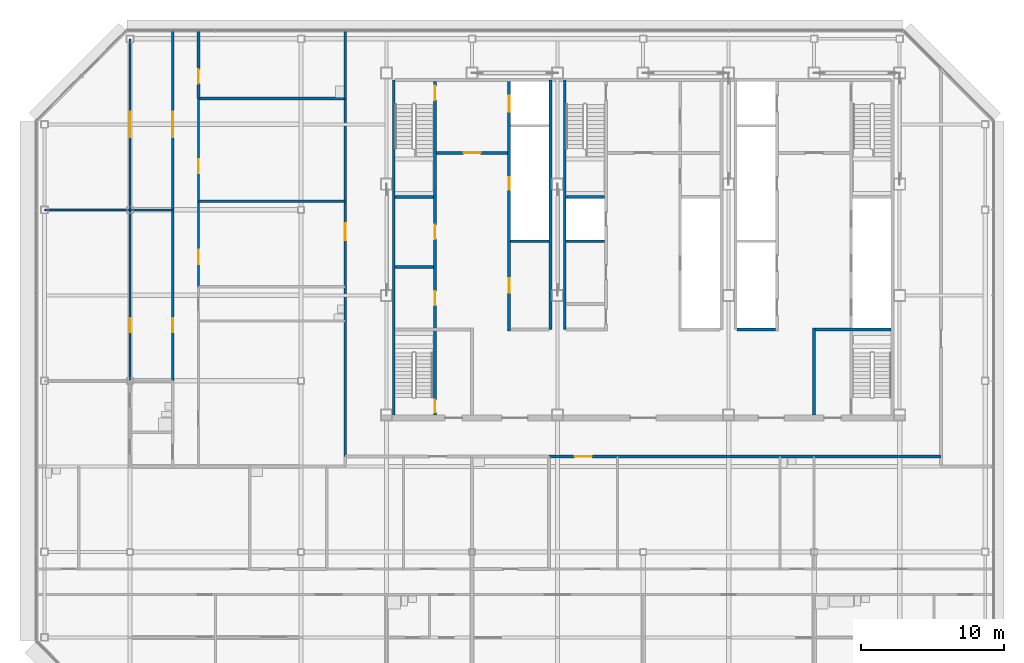
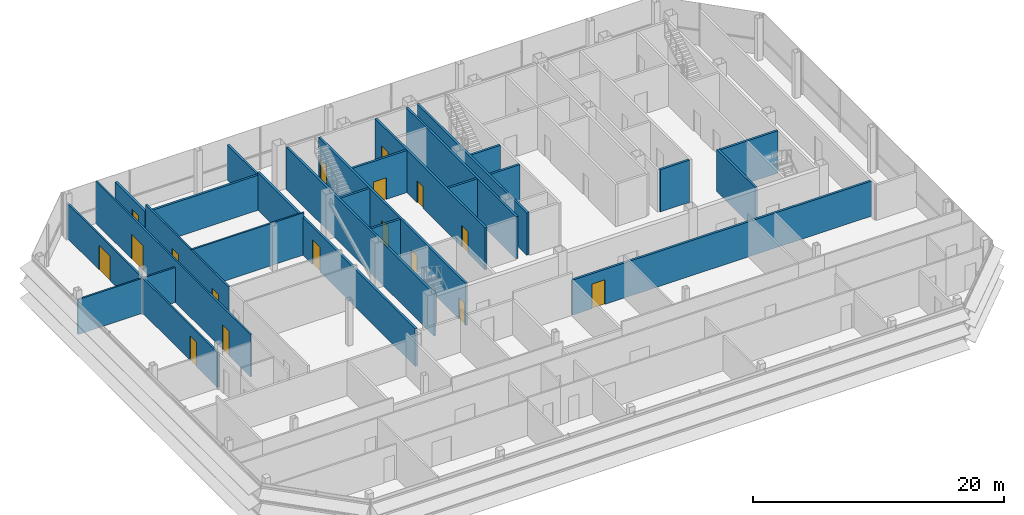
# One storey, part 23 of 29: 24 walls, 17 doors, 17 openings.
"""IFC4 building model written with IfcOpenShell, lengths in metres."""

from ifc_helpers import new_model, si_unit, direction, frame, frame_2d, origin, place, context, subcontext, project, spatial, rectangle, extrude, material, layer, layer_set, type_object, element, fill, save


model = new_model("IFC4")

# Units and contexts
model_context = context("Model", 3, precision=1e-05, world=origin(), true_north=direction((0.0, 1.0)))
body_context = subcontext(model_context, "Body", "Model", "MODEL_VIEW")
ifc_project = project(units=[si_unit("LENGTHUNIT", "METRE"), si_unit("AREAUNIT", "SQUARE_METRE"), si_unit("VOLUMEUNIT", "CUBIC_METRE"), si_unit("PLANEANGLEUNIT", "RADIAN"), si_unit("MASSUNIT", "GRAM", prefix="KILO")], contexts=[model_context])

# Site, building, storey
site_placement = place(None, origin())
site = spatial("IfcSite", under=ifc_project, at=site_placement, CompositionType="ELEMENT")
building_placement = place(site_placement, origin())
building = spatial("IfcBuilding", under=site, at=building_placement, Name="Sorahane Residences", CompositionType="ELEMENT")
storey_placement = place(building_placement, frame((0.0, 0.0, 326.800048828125)))
storey = spatial("IfcBuildingStorey", under=building, at=storey_placement, Name="L78", CompositionType="ELEMENT", Elevation=326.800048828125)

# Walls
ifc_material_1 = material(Name="Concrete C30", Category="concrete")
ifc_layer_1 = layer(ifc_material_1, 0.199951171875)
ifc_layer_set_1 = layer_set([ifc_layer_1], Name="Core face wall 200 EI 180")
wall_type_1 = type_object("IfcWallType", Name="Core face wall 200 EI 180", PredefinedType="SOLIDWALL", material=ifc_layer_set_1)
wall_1_placement = place(storey_placement, frame((6.5, 21.60009765625, 0.0), z_axis=(0.0, 0.0, 1.0), x_axis=(0.0, 1.0, 0.0)))
element("IfcWall", 1, at=wall_1_placement, inside=storey, type_object=wall_type_1, Name="L78 core face wall", PredefinedType="SOLIDWALL", context=body_context, shape_type="SweptSolid", body=[
    extrude(rectangle(XDim=23.5, YDim=0.199951171875, at=frame_2d((11.75, 0.0))), origin(), (0.0, 0.0, 1.0), 4.099853515625),
])
for number, where, z_axis, x_axis, name in (
    (2, (17.5, 27.60009765625, 0.0), (0.0, 0.0, 1.0), (0.0, 1.0, 0.0), "L78 core face wall"),
    (3, (18.5, 27.60009765625, 0.0), (0.0, 0.0, 1.0), (0.0, 1.0, 0.0), "L78 core face wall"),
):
    element("IfcWall", number, at=place(storey_placement, frame(where, z_axis=z_axis, x_axis=x_axis)), inside=storey, type_object=wall_type_1, Name=name, PredefinedType="SOLIDWALL", context=body_context, shape_type="SweptSolid", body=[
        extrude(rectangle(XDim=17.5, YDim=0.199951171875, at=frame_2d((8.75, 0.0))), origin(), (0.0, 0.0, 1.0), 4.099853515625),
    ])

# Wall, opening, door
ifc_material_2 = material(Name="Concrete blockwork C20 wall", Category="masonry")
ifc_layer_2 = layer(ifc_material_2, 0.199951171875)
ifc_layer_set_2 = layer_set([ifc_layer_2], Name="Corridor wall 200 EI 120")
wall_type_2 = type_object("IfcWallType", Name="Corridor wall 200 EI 120", PredefinedType="SOLIDWALL", material=ifc_layer_set_2)
wall_2_placement = place(storey_placement, frame((3.10009765625, 18.699951171875, 0.0), z_axis=(0.0, 0.0, 1.0), x_axis=(0.0, 1.0, 0.0)))
wall_2 = element("IfcWall", 4, at=wall_2_placement, inside=storey, type_object=wall_type_2, Name="L78 corridor wall", PredefinedType="SOLIDWALL", context=body_context, shape_type="SweptSolid", body=[
    extrude(rectangle(XDim=25.10009765625, YDim=0.199951171875, at=frame_2d((12.550048828125, 0.0))), origin(), (0.0, 0.0, 1.0), 3.64990234375),
])
opening_1_placement = place(wall_2_placement, frame((15.159912109375, 0.0, 0.0)))
opening_1 = element("IfcOpeningElement", 5, at=opening_1_placement, cuts=wall_2, Name="Opening L78-40", PredefinedType="OPENING", context=body_context, shape_type="SweptSolid", body=[
    extrude(rectangle(XDim=1.199951171875, YDim=2.39990234375, at=frame_2d((0.60009765625, 1.199951171875))), frame((0.0, 0.10986328125, 0.0), z_axis=(0.0, -1.0, 0.0), x_axis=(1.0, 0.0, 0.0)), (0.0, 0.0, 1.0), 0.219970703125),
])
ifc_material_3 = material(Name="Timber veneered fire door", Category="wood")
door_type_1 = type_object("IfcDoorType", Name="Flat entrance door 1200x2400 FD60", OperationType="NOTDEFINED", PredefinedType="DOOR", material=ifc_material_3)
door_1_placement = place(opening_1_placement, origin())
door_1 = element("IfcDoor", 6, at=door_1_placement, inside=storey, type_object=door_type_1, Name="Flat entrance door L78-40", OperationType="SINGLE_SWING_RIGHT", OverallHeight=2.39990234375, OverallWidth=1.199951171875, PredefinedType="DOOR", context=body_context, shape_type="SweptSolid", body=[
    extrude(rectangle(XDim=1.199951171875, YDim=2.39990234375, at=frame_2d((0.60009765625, 1.199951171875))), frame((0.0, 0.02490234375, 0.0), z_axis=(0.0, -1.0, 0.0), x_axis=(1.0, 0.0, 0.0)), (0.0, 0.0, 1.0), 0.050048828125),
])
fill(opening_1, door_1)

wall_3_placement = place(storey_placement, frame((17.39990234375, 18.699951171875, 0.0), z_axis=(0.0, 0.0, 1.0), x_axis=(1.0, 0.0, 0.0)))
wall_3 = element("IfcWall", 7, at=wall_3_placement, inside=storey, type_object=wall_type_2, Name="L78 corridor wall", PredefinedType="SOLIDWALL", context=body_context, shape_type="SweptSolid", body=[
    extrude(rectangle(XDim=27.5, YDim=0.199951171875, at=frame_2d((13.75, 0.0))), origin(), (0.0, 0.0, 1.0), 3.39990234375),
])
opening_2_placement = place(wall_3_placement, frame((1.800048828125, 0.0, 0.0)))
opening_2 = element("IfcOpeningElement", 8, at=opening_2_placement, cuts=wall_3, Name="Opening L78-39", PredefinedType="OPENING", context=body_context, shape_type="SweptSolid", body=[
    extrude(rectangle(XDim=1.199951171875, YDim=2.39990234375, at=frame_2d((0.60009765625, 1.199951171875))), frame((0.0, 0.10986328125, 0.0), z_axis=(0.0, -1.0, 0.0), x_axis=(1.0, 0.0, 0.0)), (0.0, 0.0, 1.0), 0.219970703125),
])
door_2_placement = place(opening_2_placement, frame((1.199951171875, 0.0, 0.0), z_axis=(0.0, 0.0, 1.0), x_axis=(-1.0, 0.0, 0.0)))
door_2 = element("IfcDoor", 9, at=door_2_placement, inside=storey, type_object=door_type_1, Name="Flat entrance door L78-39", OperationType="SINGLE_SWING_LEFT", OverallHeight=2.39990234375, OverallWidth=1.199951171875, PredefinedType="DOOR", context=body_context, shape_type="SweptSolid", body=[
    extrude(rectangle(XDim=1.199951171875, YDim=2.39990234375, at=frame_2d((0.60009765625, 1.199951171875))), frame((0.0, 0.02490234375, 0.0), z_axis=(0.0, -1.0, 0.0), x_axis=(1.0, 0.0, 0.0)), (0.0, 0.0, 1.0), 0.050048828125),
])
fill(opening_2, door_2)

# Wall
ifc_material_4 = material(Name="Concrete C30", Category="concrete")
ifc_layer_3 = layer(ifc_material_4, 0.199951171875)
ifc_layer_set_3 = layer_set([ifc_layer_3], Name="Front room wall 200 EI 120")
wall_type_3 = type_object("IfcWallType", Name="Front room wall 200 EI 120", PredefinedType="PARTITIONING", material=ifc_layer_set_3)
wall_4_placement = place(storey_placement, frame((36.0, 21.60009765625, 0.0), z_axis=(0.0, 0.0, 1.0), x_axis=(0.0, 1.0, 0.0)))
element("IfcWall", 10, at=wall_4_placement, inside=storey, type_object=wall_type_3, Name="L78 front room wall", PredefinedType="PARTITIONING", context=body_context, shape_type="SweptSolid", body=[
    extrude(rectangle(XDim=6.099853515625, YDim=0.199951171875, at=frame_2d((3.0498046875, 0.0))), origin(), (0.0, 0.0, 1.0), 4.099853515625),
])

# Wall, opening, door
wall_5_placement = place(storey_placement, frame((9.5, 40.0, 0.0), z_axis=(0.0, 0.0, 1.0), x_axis=(1.0, 0.0, 0.0)))
wall_5 = element("IfcWall", 11, at=wall_5_placement, inside=storey, type_object=wall_type_3, Name="L78 front room wall", PredefinedType="PARTITIONING", context=body_context, shape_type="SweptSolid", body=[
    extrude(rectangle(XDim=5.0, YDim=0.199951171875, at=frame_2d((2.5, 0.0))), origin(), (0.0, 0.0, 1.0), 4.099853515625),
])
opening_3_placement = place(wall_5_placement, frame((1.89990234375, 0.0, 0.0)))
opening_3 = element("IfcOpeningElement", 12, at=opening_3_placement, cuts=wall_5, Name="Opening L78-C06", PredefinedType="OPENING", context=body_context, shape_type="SweptSolid", body=[
    extrude(rectangle(XDim=1.199951171875, YDim=2.10009765625, at=frame_2d((0.60009765625, 1.050048828125))), frame((0.0, 0.10986328125, 0.0), z_axis=(0.0, -1.0, 0.0), x_axis=(1.0, 0.0, 0.0)), (0.0, 0.0, 1.0), 0.219970703125),
])
ifc_material_5 = material(Name="Steel", Category="steel")
door_type_2 = type_object("IfcDoorType", Name="Front room door 1200x2100 FD120", OperationType="NOTDEFINED", PredefinedType="DOOR", material=ifc_material_5)
door_3_placement = place(opening_3_placement, frame((1.199951171875, 0.0, 0.0), z_axis=(0.0, 0.0, 1.0), x_axis=(-1.0, 0.0, 0.0)))
door_3 = element("IfcDoor", 13, at=door_3_placement, inside=storey, type_object=door_type_2, Name="Front room door Firefighting lobby FF1 front room L78", OperationType="DOUBLE_DOOR_SINGLE_SWING", OverallHeight=2.10009765625, OverallWidth=1.199951171875, PredefinedType="DOOR", context=body_context, shape_type="SweptSolid", body=[
    extrude(rectangle(XDim=1.199951171875, YDim=2.10009765625, at=frame_2d((0.60009765625, 1.050048828125))), frame((0.0, 0.02490234375, 0.0), z_axis=(0.0, -1.0, 0.0), x_axis=(1.0, 0.0, 0.0)), (0.0, 0.0, 1.0), 0.050048828125),
])
fill(opening_3, door_3)

ifc_material_6 = material(Name="Concrete blockwork C20 wall", Category="masonry")
ifc_layer_4 = layer(ifc_material_6, 0.199951171875)
ifc_layer_set_4 = layer_set([ifc_layer_4], Name="Kitchen wall 200 EI 180")
wall_type_4 = type_object("IfcWallType", Name="Kitchen wall 200 EI 180", PredefinedType="SOLIDWALL", material=ifc_layer_set_4)
wall_6_placement = place(storey_placement, frame((-7.199951171875, 43.800048828125, 0.0), z_axis=(0.0, 0.0, 1.0), x_axis=(0.0, 1.0, 0.0)))
wall_6 = element("IfcWall", 14, at=wall_6_placement, inside=storey, type_object=wall_type_4, Name="L78 kitchen wall", PredefinedType="SOLIDWALL", context=body_context, shape_type="SweptSolid", body=[
    extrude(rectangle(XDim=4.800048828125, YDim=0.199951171875, at=frame_2d((2.39990234375, 0.0))), origin(), (0.0, 0.0, 1.0), 3.39990234375),
])
opening_4_placement = place(wall_6_placement, frame((1.06005859375, 0.0, 0.0)))
opening_4 = element("IfcOpeningElement", 15, at=opening_4_placement, cuts=wall_6, Name="Opening L78-30", PredefinedType="OPENING", context=body_context, shape_type="SweptSolid", body=[
    extrude(rectangle(XDim=1.0, YDim=2.39990234375, at=frame_2d((0.5, 1.199951171875))), frame((0.0, 0.10986328125, 0.0), z_axis=(0.0, -1.0, 0.0), x_axis=(1.0, 0.0, 0.0)), (0.0, 0.0, 1.0), 0.219970703125),
])
ifc_material_7 = material(Name="Steel", Category="steel")
door_type_3 = type_object("IfcDoorType", Name="Kitchen door 1000x2400 FD120", OperationType="NOTDEFINED", PredefinedType="DOOR", material=ifc_material_7)
door_4_placement = place(opening_4_placement, frame((1.0, 0.0, 0.0), z_axis=(0.0, 0.0, 1.0), x_axis=(-1.0, 0.0, 0.0)))
door_4 = element("IfcDoor", 16, at=door_4_placement, inside=storey, type_object=door_type_3, Name="Kitchen door L78-30", OperationType="SINGLE_SWING_LEFT", OverallHeight=2.39990234375, OverallWidth=1.0, PredefinedType="DOOR", context=body_context, shape_type="SweptSolid", body=[
    extrude(rectangle(XDim=1.0, YDim=2.39990234375, at=frame_2d((0.5, 1.199951171875))), frame((0.0, 0.02490234375, 0.0), z_axis=(0.0, -1.0, 0.0), x_axis=(1.0, 0.0, 0.0)), (0.0, 0.0, 1.0), 0.050048828125),
])
fill(opening_4, door_4)

# Walls
wall_7_placement = place(storey_placement, frame((3.10009765625, 43.800048828125, 0.0), z_axis=(0.0, 0.0, 1.0), x_axis=(0.0, 1.0, 0.0)))
element("IfcWall", 17, at=wall_7_placement, inside=storey, type_object=wall_type_4, Name="L78 kitchen wall", PredefinedType="SOLIDWALL", context=body_context, shape_type="SweptSolid", body=[
    extrude(rectangle(XDim=4.800048828125, YDim=0.199951171875, at=frame_2d((2.39990234375, 0.0))), origin(), (0.0, 0.0, 1.0), 3.39990234375),
])
wall_8_placement = place(storey_placement, frame((-7.199951171875, 43.800048828125, 0.0), z_axis=(0.0, 0.0, 1.0), x_axis=(1.0, 0.0, 0.0)))
element("IfcWall", 18, at=wall_8_placement, inside=storey, type_object=wall_type_4, Name="L78 kitchen wall", PredefinedType="SOLIDWALL", context=body_context, shape_type="SweptSolid", body=[
    extrude(rectangle(XDim=10.300048828125, YDim=0.199951171875, at=frame_2d((5.14990234375, 0.0))), origin(), (0.0, 0.0, 1.0), 3.39990234375),
])

# Wall, openings, doors
ifc_material_8 = material(Name="Concrete C30", Category="concrete")
ifc_layer_5 = layer(ifc_material_8, 0.199951171875)
ifc_layer_set_5 = layer_set([ifc_layer_5], Name="Lift shaft wall 200 EI 120")
wall_type_5 = type_object("IfcWallType", Name="Lift shaft wall 200 EI 120", PredefinedType="SOLIDWALL", material=ifc_layer_set_5)
wall_9_placement = place(storey_placement, frame((14.60009765625, 27.5, 0.0), z_axis=(0.0, 0.0, 1.0), x_axis=(0.0, 1.0, 0.0)))
wall_9 = element("IfcWall", 19, at=wall_9_placement, inside=storey, type_object=wall_type_5, Name="L78 lift shaft wall", PredefinedType="SOLIDWALL", context=body_context, shape_type="SweptSolid", body=[
    extrude(rectangle(XDim=17.5, YDim=0.199951171875, at=frame_2d((8.75, 0.0))), origin(), (0.0, 0.0, 1.0), 4.099853515625),
])
opening_5_placement = place(wall_9_placement, frame((15.39990234375, 0.0, 0.0)))
opening_5 = element("IfcOpeningElement", 20, at=opening_5_placement, cuts=wall_9, Name="Opening L78-C15", PredefinedType="OPENING", context=body_context, shape_type="SweptSolid", body=[
    extrude(rectangle(XDim=1.10009765625, YDim=2.10009765625, at=frame_2d((0.550048828125, 1.050048828125))), frame((0.0, 0.10986328125, 0.0), z_axis=(0.0, -1.0, 0.0), x_axis=(1.0, 0.0, 0.0)), (0.0, 0.0, 1.0), 0.219970703125),
])
opening_6_placement = place(wall_9_placement, frame((2.699951171875, 0.0, 0.0)))
opening_6 = element("IfcOpeningElement", 21, at=opening_6_placement, cuts=wall_9, Name="Opening L78-C18", PredefinedType="OPENING", context=body_context, shape_type="SweptSolid", body=[
    extrude(rectangle(XDim=1.0, YDim=2.10009765625, at=frame_2d((0.5, 1.050048828125))), frame((0.0, 0.10986328125, 0.0), z_axis=(0.0, -1.0, 0.0), x_axis=(1.0, 0.0, 0.0)), (0.0, 0.0, 1.0), 0.219970703125),
])
opening_7_placement = place(wall_9_placement, frame((9.89990234375, 0.0, 0.0)))
opening_7 = element("IfcOpeningElement", 22, at=opening_7_placement, cuts=wall_9, Name="Opening L78-C26", PredefinedType="OPENING", context=body_context, shape_type="SweptSolid", body=[
    extrude(rectangle(XDim=0.89990234375, YDim=2.10009765625, at=frame_2d((0.449951171875, 1.050048828125))), frame((0.0, 0.10986328125, 0.0), z_axis=(0.0, -1.0, 0.0), x_axis=(1.0, 0.0, 0.0)), (0.0, 0.0, 1.0), 0.219970703125),
])
ifc_material_9 = material(Name="Aluminium and stainless steel", Category="steel")
door_type_4 = type_object("IfcDoorType", Name="Lift landing door 1100x2100 E 60", OperationType="NOTDEFINED", PredefinedType="DOOR", material=ifc_material_9)
door_5_placement = place(opening_5_placement, origin())
door_5 = element("IfcDoor", 23, at=door_5_placement, inside=storey, type_object=door_type_4, Name="Lift landing door FF1 L78", OperationType="DOUBLE_DOOR_SLIDING", OverallHeight=2.10009765625, OverallWidth=1.10009765625, PredefinedType="DOOR", context=body_context, shape_type="SweptSolid", body=[
    extrude(rectangle(XDim=1.10009765625, YDim=2.10009765625, at=frame_2d((0.550048828125, 1.050048828125))), frame((0.0, 0.02490234375, 0.0), z_axis=(0.0, -1.0, 0.0), x_axis=(1.0, 0.0, 0.0)), (0.0, 0.0, 1.0), 0.050048828125),
])
fill(opening_5, door_5)
ifc_material_10 = material(Name="Steel", Category="steel")
door_type_5 = type_object("IfcDoorType", Name="Riser door 900x2100 FD120", OperationType="NOTDEFINED", PredefinedType="DOOR", material=ifc_material_10)
door_6_placement = place(opening_7_placement, origin())
door_6 = element("IfcDoor", 24, at=door_6_placement, inside=storey, type_object=door_type_5, Name="Riser door R1 L78", OperationType="SINGLE_SWING_LEFT", OverallHeight=2.10009765625, OverallWidth=0.89990234375, PredefinedType="DOOR", context=body_context, shape_type="SweptSolid", body=[
    extrude(rectangle(XDim=0.89990234375, YDim=2.10009765625, at=frame_2d((0.449951171875, 1.050048828125))), frame((0.0, 0.02490234375, 0.0), z_axis=(0.0, -1.0, 0.0), x_axis=(1.0, 0.0, 0.0)), (0.0, 0.0, 1.0), 0.050048828125),
])
fill(opening_7, door_6)
ifc_material_11 = material(Name="Steel", Category="steel")
door_type_6 = type_object("IfcDoorType", Name="Service room door 1000x2100 FD60", OperationType="NOTDEFINED", PredefinedType="DOOR", material=ifc_material_11)
door_7_placement = place(opening_6_placement, frame((1.0, 0.0, 0.0), z_axis=(0.0, 0.0, 1.0), x_axis=(-1.0, 0.0, 0.0)))
door_7 = element("IfcDoor", 25, at=door_7_placement, inside=storey, type_object=door_type_6, Name="Service room door Flower room L78", OperationType="SINGLE_SWING_RIGHT", OverallHeight=2.10009765625, OverallWidth=1.0, PredefinedType="DOOR", context=body_context, shape_type="SweptSolid", body=[
    extrude(rectangle(XDim=1.0, YDim=2.10009765625, at=frame_2d((0.5, 1.050048828125))), frame((0.0, 0.02490234375, 0.0), z_axis=(0.0, -1.0, 0.0), x_axis=(1.0, 0.0, 0.0)), (0.0, 0.0, 1.0), 0.050048828125),
])
fill(opening_6, door_7)

# Wall
wall_10_placement = place(storey_placement, frame((30.60009765625, 27.60009765625, 0.0), z_axis=(0.0, 0.0, 1.0), x_axis=(1.0, 0.0, 0.0)))
element("IfcWall", 26, at=wall_10_placement, inside=storey, type_object=wall_type_5, Name="L78 lift shaft wall", PredefinedType="SOLIDWALL", context=body_context, shape_type="SweptSolid", body=[
    extrude(rectangle(XDim=2.699951171875, YDim=0.199951171875, at=frame_2d((1.35009765625, 0.0))), origin(), (0.0, 0.0, 1.0), 4.099853515625),
])

# Wall, openings, doors
ifc_material_12 = material(Name="Gypsum board partition on steel studs", Category="steel")
ifc_layer_6 = layer(ifc_material_12, 0.14990234375)
ifc_layer_set_6 = layer_set([ifc_layer_6], Name="Partition 150 EI 90")
wall_type_6 = type_object("IfcWallType", Name="Partition 150 EI 90", PredefinedType="PARTITIONING", material=ifc_layer_set_6)
wall_11_placement = place(storey_placement, frame((-12.0, 24.0, 0.0), z_axis=(0.0, 0.0, 1.0), x_axis=(0.0, 1.0, 0.0)))
wall_11 = element("IfcWall", 27, at=wall_11_placement, inside=storey, type_object=wall_type_6, Name="L78 partition", PredefinedType="PARTITIONING", context=body_context, shape_type="SweptSolid", body=[
    extrude(rectangle(XDim=24.0, YDim=0.14990234375, at=frame_2d((12.0, 0.0))), origin(), (0.0, 0.0, 1.0), 3.39990234375),
])
opening_8_placement = place(wall_11_placement, frame((3.39990234375, 0.0, 0.0)))
opening_8 = element("IfcOpeningElement", 28, at=opening_8_placement, cuts=wall_11, Name="Opening L78-36", PredefinedType="OPENING", context=body_context, shape_type="SweptSolid", body=[
    extrude(rectangle(XDim=1.0, YDim=2.39990234375, at=frame_2d((0.5, 1.199951171875))), frame((0.0, 0.0849609375, 0.0), z_axis=(0.0, -1.0, 0.0), x_axis=(1.0, 0.0, 0.0)), (0.0, 0.0, 1.0), 0.169921875),
])
opening_9_placement = place(wall_11_placement, frame((17.10009765625, 0.0, 0.0)))
opening_9 = element("IfcOpeningElement", 29, at=opening_9_placement, cuts=wall_11, Name="Opening L78-37", PredefinedType="OPENING", context=body_context, shape_type="SweptSolid", body=[
    extrude(rectangle(XDim=1.800048828125, YDim=2.39990234375, at=frame_2d((0.89990234375, 1.199951171875))), frame((0.0, 0.0849609375, 0.0), z_axis=(0.0, -1.0, 0.0), x_axis=(1.0, 0.0, 0.0)), (0.0, 0.0, 1.0), 0.169921875),
])
ifc_material_13 = material(Name="Timber veneered fire door", Category="wood")
door_type_7 = type_object("IfcDoorType", Name="Double door 1800x2400 FD30", OperationType="NOTDEFINED", PredefinedType="DOOR", material=ifc_material_13)
door_8_placement = place(opening_9_placement, origin())
door_8 = element("IfcDoor", 30, at=door_8_placement, inside=storey, type_object=door_type_7, Name="Double door L78-37", OperationType="SINGLE_SWING_RIGHT", OverallHeight=2.39990234375, OverallWidth=1.800048828125, PredefinedType="DOOR", context=body_context, shape_type="SweptSolid", body=[
    extrude(rectangle(XDim=1.800048828125, YDim=2.39990234375, at=frame_2d((0.89990234375, 1.199951171875))), frame((0.0, 0.02490234375, 0.0), z_axis=(0.0, -1.0, 0.0), x_axis=(1.0, 0.0, 0.0)), (0.0, 0.0, 1.0), 0.050048828125),
])
fill(opening_9, door_8)
ifc_material_14 = material(Name="Timber veneered fire door", Category="wood")
door_type_8 = type_object("IfcDoorType", Name="Room door 1000x2400 FD30", OperationType="NOTDEFINED", PredefinedType="DOOR", material=ifc_material_14)
door_9_placement = place(opening_8_placement, origin())
door_9 = element("IfcDoor", 31, at=door_9_placement, inside=storey, type_object=door_type_8, Name="Room door L78-36", OperationType="SINGLE_SWING_LEFT", OverallHeight=2.39990234375, OverallWidth=1.0, PredefinedType="DOOR", context=body_context, shape_type="SweptSolid", body=[
    extrude(rectangle(XDim=1.0, YDim=2.39990234375, at=frame_2d((0.5, 1.199951171875))), frame((0.0, 0.02490234375, 0.0), z_axis=(0.0, -1.0, 0.0), x_axis=(1.0, 0.0, 0.0)), (0.0, 0.0, 1.0), 0.050048828125),
])
fill(opening_8, door_9)

wall_12_placement = place(storey_placement, frame((-7.199951171875, 30.60009765625, 0.0), z_axis=(0.0, 0.0, 1.0), x_axis=(0.0, 1.0, 0.0)))
wall_12 = element("IfcWall", 32, at=wall_12_placement, inside=storey, type_object=wall_type_6, Name="L78 partition", PredefinedType="PARTITIONING", context=body_context, shape_type="SweptSolid", body=[
    extrude(rectangle(XDim=13.199951171875, YDim=0.14990234375, at=frame_2d((6.60009765625, 0.0))), origin(), (0.0, 0.0, 1.0), 4.099853515625),
])
opening_10_placement = place(wall_12_placement, frame((1.60009765625, 0.0, 0.0)))
opening_10 = element("IfcOpeningElement", 33, at=opening_10_placement, cuts=wall_12, Name="Opening L78-26", PredefinedType="OPENING", context=body_context, shape_type="SweptSolid", body=[
    extrude(rectangle(XDim=1.0, YDim=2.39990234375, at=frame_2d((0.5, 1.199951171875))), frame((0.0, 0.0849609375, 0.0), z_axis=(0.0, -1.0, 0.0), x_axis=(1.0, 0.0, 0.0)), (0.0, 0.0, 1.0), 0.169921875),
])
opening_11_placement = place(wall_12_placement, frame((7.9599609375, 0.0, 0.0)))
opening_11 = element("IfcOpeningElement", 34, at=opening_11_placement, cuts=wall_12, Name="Opening L78-29", PredefinedType="OPENING", context=body_context, shape_type="SweptSolid", body=[
    extrude(rectangle(XDim=1.0, YDim=2.39990234375, at=frame_2d((0.5, 1.199951171875))), frame((0.0, 0.0849609375, 0.0), z_axis=(0.0, -1.0, 0.0), x_axis=(1.0, 0.0, 0.0)), (0.0, 0.0, 1.0), 0.169921875),
])
door_10_placement = place(opening_10_placement, origin())
door_10 = element("IfcDoor", 35, at=door_10_placement, inside=storey, type_object=door_type_8, Name="Room door L78-26", OperationType="SINGLE_SWING_LEFT", OverallHeight=2.39990234375, OverallWidth=1.0, PredefinedType="DOOR", context=body_context, shape_type="SweptSolid", body=[
    extrude(rectangle(XDim=1.0, YDim=2.39990234375, at=frame_2d((0.5, 1.199951171875))), frame((0.0, 0.02490234375, 0.0), z_axis=(0.0, -1.0, 0.0), x_axis=(1.0, 0.0, 0.0)), (0.0, 0.0, 1.0), 0.050048828125),
])
fill(opening_10, door_10)
door_11_placement = place(opening_11_placement, frame((1.0, 0.0, 0.0), z_axis=(0.0, 0.0, 1.0), x_axis=(-1.0, 0.0, 0.0)))
door_11 = element("IfcDoor", 36, at=door_11_placement, inside=storey, type_object=door_type_8, Name="Room door L78-29", OperationType="SINGLE_SWING_LEFT", OverallHeight=2.39990234375, OverallWidth=1.0, PredefinedType="DOOR", context=body_context, shape_type="SweptSolid", body=[
    extrude(rectangle(XDim=1.0, YDim=2.39990234375, at=frame_2d((0.5, 1.199951171875))), frame((0.0, 0.02490234375, 0.0), z_axis=(0.0, -1.0, 0.0), x_axis=(1.0, 0.0, 0.0)), (0.0, 0.0, 1.0), 0.050048828125),
])
fill(opening_11, door_11)

wall_13_placement = place(storey_placement, frame((-9.0, 24.0, 0.0), z_axis=(0.0, 0.0, 1.0), x_axis=(0.0, 1.0, 0.0)))
wall_13 = element("IfcWall", 37, at=wall_13_placement, inside=storey, type_object=wall_type_6, Name="L78 partition", PredefinedType="PARTITIONING", context=body_context, shape_type="SweptSolid", body=[
    extrude(rectangle(XDim=24.60009765625, YDim=0.14990234375, at=frame_2d((12.300048828125, 0.0))), origin(), (0.0, 0.0, 1.0), 4.099853515625),
])
opening_12_placement = place(wall_13_placement, frame((3.39990234375, 0.0, 0.0)))
opening_12 = element("IfcOpeningElement", 38, at=opening_12_placement, cuts=wall_13, Name="Opening L78-32", PredefinedType="OPENING", context=body_context, shape_type="SweptSolid", body=[
    extrude(rectangle(XDim=1.0, YDim=2.39990234375, at=frame_2d((0.5, 1.199951171875))), frame((0.0, 0.0849609375, 0.0), z_axis=(0.0, -1.0, 0.0), x_axis=(1.0, 0.0, 0.0)), (0.0, 0.0, 1.0), 0.169921875),
])
opening_13_placement = place(wall_13_placement, frame((17.10009765625, 0.0, 0.0)))
opening_13 = element("IfcOpeningElement", 39, at=opening_13_placement, cuts=wall_13, Name="Opening L78-33", PredefinedType="OPENING", context=body_context, shape_type="SweptSolid", body=[
    extrude(rectangle(XDim=1.800048828125, YDim=2.39990234375, at=frame_2d((0.89990234375, 1.199951171875))), frame((0.0, 0.0849609375, 0.0), z_axis=(0.0, -1.0, 0.0), x_axis=(1.0, 0.0, 0.0)), (0.0, 0.0, 1.0), 0.169921875),
])
door_12_placement = place(opening_13_placement, origin())
door_12 = element("IfcDoor", 40, at=door_12_placement, inside=storey, type_object=door_type_7, Name="Double door L78-33", OperationType="SINGLE_SWING_LEFT", OverallHeight=2.39990234375, OverallWidth=1.800048828125, PredefinedType="DOOR", context=body_context, shape_type="SweptSolid", body=[
    extrude(rectangle(XDim=1.800048828125, YDim=2.39990234375, at=frame_2d((0.89990234375, 1.199951171875))), frame((0.0, 0.02490234375, 0.0), z_axis=(0.0, -1.0, 0.0), x_axis=(1.0, 0.0, 0.0)), (0.0, 0.0, 1.0), 0.050048828125),
])
fill(opening_13, door_12)
door_13_placement = place(opening_12_placement, origin())
door_13 = element("IfcDoor", 41, at=door_13_placement, inside=storey, type_object=door_type_8, Name="Room door L78-32", OperationType="SINGLE_SWING_RIGHT", OverallHeight=2.39990234375, OverallWidth=1.0, PredefinedType="DOOR", context=body_context, shape_type="SweptSolid", body=[
    extrude(rectangle(XDim=1.0, YDim=2.39990234375, at=frame_2d((0.5, 1.199951171875))), frame((0.0, 0.02490234375, 0.0), z_axis=(0.0, -1.0, 0.0), x_axis=(1.0, 0.0, 0.0)), (0.0, 0.0, 1.0), 0.050048828125),
])
fill(opening_12, door_13)

# Walls
wall_14_placement = place(storey_placement, frame((-18.0, 36.0, 0.0), z_axis=(0.0, 0.0, 1.0), x_axis=(1.0, 0.0, 0.0)))
element("IfcWall", 42, at=wall_14_placement, inside=storey, type_object=wall_type_6, Name="L78 partition", PredefinedType="PARTITIONING", context=body_context, shape_type="SweptSolid", body=[
    extrude(rectangle(XDim=9.0, YDim=0.14990234375, at=frame_2d((4.5, 0.0))), origin(), (0.0, 0.0, 1.0), 3.39990234375),
])
wall_15_placement = place(storey_placement, frame((-7.199951171875, 36.60009765625, 0.0), z_axis=(0.0, 0.0, 1.0), x_axis=(1.0, 0.0, 0.0)))
element("IfcWall", 43, at=wall_15_placement, inside=storey, type_object=wall_type_6, Name="L78 partition", PredefinedType="PARTITIONING", context=body_context, shape_type="SweptSolid", body=[
    extrude(rectangle(XDim=10.300048828125, YDim=0.14990234375, at=frame_2d((5.14990234375, 0.0))), origin(), (0.0, 0.0, 1.0), 4.099853515625),
])
ifc_material_15 = material(Name="Concrete C30", Category="concrete")
ifc_layer_7 = layer(ifc_material_15, 0.199951171875)
ifc_layer_set_7 = layer_set([ifc_layer_7], Name="Riser shaft wall 200 EI 120")
wall_type_7 = type_object("IfcWallType", Name="Riser shaft wall 200 EI 120", PredefinedType="SOLIDWALL", material=ifc_layer_set_7)
for number, where, z_axis, x_axis, name in (
    (44, (14.699951171875, 33.800048828125, 0.0), (0.0, 0.0, 1.0), (1.0, 0.0, 0.0), "L78 riser wall"),
    (45, (18.60009765625, 33.800048828125, 0.0), (0.0, 0.0, 1.0), (1.0, 0.0, 0.0), "L78 riser wall"),
):
    element("IfcWall", number, at=place(storey_placement, frame(where, z_axis=z_axis, x_axis=x_axis)), inside=storey, type_object=wall_type_7, Name=name, PredefinedType="SOLIDWALL", context=body_context, shape_type="SweptSolid", body=[
        extrude(rectangle(XDim=2.699951171875, YDim=0.199951171875, at=frame_2d((1.35009765625, 0.0))), origin(), (0.0, 0.0, 1.0), 4.099853515625),
    ])
ifc_material_16 = material(Name="Concrete C30", Category="concrete")
ifc_layer_8 = layer(ifc_material_16, 0.199951171875)
ifc_layer_set_8 = layer_set([ifc_layer_8], Name="Service room partition 200 EI 60")
wall_type_8 = type_object("IfcWallType", Name="Service room partition 200 EI 60", PredefinedType="PARTITIONING", material=ifc_layer_set_8)
wall_16_placement = place(storey_placement, frame((6.60009765625, 32.0, 0.0), z_axis=(0.0, 0.0, 1.0), x_axis=(1.0, 0.0, 0.0)))
element("IfcWall", 46, at=wall_16_placement, inside=storey, type_object=wall_type_8, Name="L78 service room wall", PredefinedType="PARTITIONING", context=body_context, shape_type="SweptSolid", body=[
    extrude(rectangle(XDim=2.699951171875, YDim=0.199951171875, at=frame_2d((1.35009765625, 0.0))), origin(), (0.0, 0.0, 1.0), 4.099853515625),
])

# Wall, openings, doors
ifc_material_17 = material(Name="Concrete C30", Category="concrete")
ifc_layer_9 = layer(ifc_material_17, 0.199951171875)
ifc_layer_set_9 = layer_set([ifc_layer_9], Name="Stair enclosure wall 200 EI 120")
wall_type_9 = type_object("IfcWallType", Name="Stair enclosure wall 200 EI 120", PredefinedType="SOLIDWALL", material=ifc_layer_set_9)
wall_17_placement = place(storey_placement, frame((9.39990234375, 21.60009765625, 0.0), z_axis=(0.0, 0.0, 1.0), x_axis=(0.0, 1.0, 0.0)))
wall_17 = element("IfcWall", 47, at=wall_17_placement, inside=storey, type_object=wall_type_9, Name="L78 stair enclosure wall", PredefinedType="SOLIDWALL", context=body_context, shape_type="SweptSolid", body=[
    extrude(rectangle(XDim=23.39990234375, YDim=0.199951171875, at=frame_2d((11.699951171875, 0.0))), origin(), (0.0, 0.0, 1.0), 4.099853515625),
])
opening_14_placement = place(wall_17_placement, frame((7.699951171875, 0.0, 0.0)))
opening_14 = element("IfcOpeningElement", 48, at=opening_14_placement, cuts=wall_17, Name="Opening L78-C19", PredefinedType="OPENING", context=body_context, shape_type="SweptSolid", body=[
    extrude(rectangle(XDim=1.0, YDim=2.10009765625, at=frame_2d((0.5, 1.050048828125))), frame((0.0, 0.10986328125, 0.0), z_axis=(0.0, -1.0, 0.0), x_axis=(1.0, 0.0, 0.0)), (0.0, 0.0, 1.0), 0.219970703125),
])
opening_15_placement = place(wall_17_placement, frame((12.35009765625, 0.0, 0.0)))
opening_15 = element("IfcOpeningElement", 49, at=opening_15_placement, cuts=wall_17, Name="Opening L78-C20", PredefinedType="OPENING", context=body_context, shape_type="SweptSolid", body=[
    extrude(rectangle(XDim=1.0, YDim=2.10009765625, at=frame_2d((0.5, 1.050048828125))), frame((0.0, 0.10986328125, 0.0), z_axis=(0.0, -1.0, 0.0), x_axis=(1.0, 0.0, 0.0)), (0.0, 0.0, 1.0), 0.219970703125),
])
opening_16_placement = place(wall_17_placement, frame((22.10009765625, 0.0, 0.0)))
opening_16 = element("IfcOpeningElement", 50, at=opening_16_placement, cuts=wall_17, Name="Opening L78-C21", PredefinedType="OPENING", context=body_context, shape_type="SweptSolid", body=[
    extrude(rectangle(XDim=1.0, YDim=2.10009765625, at=frame_2d((0.5, 1.050048828125))), frame((0.0, 0.10986328125, 0.0), z_axis=(0.0, -1.0, 0.0), x_axis=(1.0, 0.0, 0.0)), (0.0, 0.0, 1.0), 0.219970703125),
])
opening_17_placement = place(wall_17_placement, frame((0.175048828125, 0.0, 0.0)))
opening_17 = element("IfcOpeningElement", 51, at=opening_17_placement, cuts=wall_17, Name="Opening L78-C24", PredefinedType="OPENING", context=body_context, shape_type="SweptSolid", body=[
    extrude(rectangle(XDim=0.89990234375, YDim=2.10009765625, at=frame_2d((0.449951171875, 1.050048828125))), frame((0.0, 0.10986328125, 0.0), z_axis=(0.0, -1.0, 0.0), x_axis=(1.0, 0.0, 0.0)), (0.0, 0.0, 1.0), 0.219970703125),
])
door_14_placement = place(opening_14_placement, origin())
door_14 = element("IfcDoor", 52, at=door_14_placement, inside=storey, type_object=door_type_6, Name="Service room door Gift store L78", OperationType="SINGLE_SWING_LEFT", OverallHeight=2.10009765625, OverallWidth=1.0, PredefinedType="DOOR", context=body_context, shape_type="SweptSolid", body=[
    extrude(rectangle(XDim=1.0, YDim=2.10009765625, at=frame_2d((0.5, 1.050048828125))), frame((0.0, 0.02490234375, 0.0), z_axis=(0.0, -1.0, 0.0), x_axis=(1.0, 0.0, 0.0)), (0.0, 0.0, 1.0), 0.050048828125),
])
fill(opening_14, door_14)
door_15_placement = place(opening_15_placement, origin())
door_15 = element("IfcDoor", 53, at=door_15_placement, inside=storey, type_object=door_type_6, Name="Service room door Flower room L78", OperationType="SINGLE_SWING_LEFT", OverallHeight=2.10009765625, OverallWidth=1.0, PredefinedType="DOOR", context=body_context, shape_type="SweptSolid", body=[
    extrude(rectangle(XDim=1.0, YDim=2.10009765625, at=frame_2d((0.5, 1.050048828125))), frame((0.0, 0.02490234375, 0.0), z_axis=(0.0, -1.0, 0.0), x_axis=(1.0, 0.0, 0.0)), (0.0, 0.0, 1.0), 0.050048828125),
])
fill(opening_15, door_15)
ifc_material_18 = material(Name="Steel", Category="steel")
door_type_9 = type_object("IfcDoorType", Name="Stair door 1000x2100 FD120", OperationType="NOTDEFINED", PredefinedType="DOOR", material=ifc_material_18)
door_16_placement = place(opening_16_placement, origin())
door_16 = element("IfcDoor", 54, at=door_16_placement, inside=storey, type_object=door_type_9, Name="Stair door S1 L78", OperationType="SINGLE_SWING_LEFT", OverallHeight=2.10009765625, OverallWidth=1.0, PredefinedType="DOOR", context=body_context, shape_type="SweptSolid", body=[
    extrude(rectangle(XDim=1.0, YDim=2.10009765625, at=frame_2d((0.5, 1.050048828125))), frame((0.0, 0.02490234375, 0.0), z_axis=(0.0, -1.0, 0.0), x_axis=(1.0, 0.0, 0.0)), (0.0, 0.0, 1.0), 0.050048828125),
])
fill(opening_16, door_16)
ifc_material_19 = material(Name="Steel", Category="steel")
door_type_10 = type_object("IfcDoorType", Name="Stair door 900x2100 FD120", OperationType="NOTDEFINED", PredefinedType="DOOR", material=ifc_material_19)
door_17_placement = place(opening_17_placement, origin())
door_17 = element("IfcDoor", 55, at=door_17_placement, inside=storey, type_object=door_type_10, Name="Stair door S4 L78", OperationType="SINGLE_SWING_LEFT", OverallHeight=2.10009765625, OverallWidth=0.89990234375, PredefinedType="DOOR", context=body_context, shape_type="SweptSolid", body=[
    extrude(rectangle(XDim=0.89990234375, YDim=2.10009765625, at=frame_2d((0.449951171875, 1.050048828125))), frame((0.0, 0.02490234375, 0.0), z_axis=(0.0, -1.0, 0.0), x_axis=(1.0, 0.0, 0.0)), (0.0, 0.0, 1.0), 0.050048828125),
])
fill(opening_17, door_17)

# Walls
wall_18_placement = place(storey_placement, frame((36.10009765625, 27.60009765625, 0.0), z_axis=(0.0, 0.0, 1.0), x_axis=(1.0, 0.0, 0.0)))
element("IfcWall", 56, at=wall_18_placement, inside=storey, type_object=wall_type_9, Name="L78 stair enclosure wall", PredefinedType="SOLIDWALL", context=body_context, shape_type="SweptSolid", body=[
    extrude(rectangle(XDim=5.2998046875, YDim=0.199951171875, at=frame_2d((2.64990234375, 0.0))), origin(), (0.0, 0.0, 1.0), 4.099853515625),
])
for number, where, z_axis, x_axis, name in (
    (57, (18.60009765625, 36.89990234375, 0.0), (0.0, 0.0, 1.0), (1.0, 0.0, 0.0), "L78 stair enclosure wall"),
    (58, (6.60009765625, 36.89990234375, 0.0), (0.0, 0.0, 1.0), (1.0, 0.0, 0.0), "L78 stair enclosure wall"),
):
    element("IfcWall", number, at=place(storey_placement, frame(where, z_axis=z_axis, x_axis=x_axis)), inside=storey, type_object=wall_type_9, Name=name, PredefinedType="SOLIDWALL", context=body_context, shape_type="SweptSolid", body=[
        extrude(rectangle(XDim=2.699951171875, YDim=0.199951171875, at=frame_2d((1.35009765625, 0.0))), origin(), (0.0, 0.0, 1.0), 4.099853515625),
    ])

save(model, "model.ifc")
